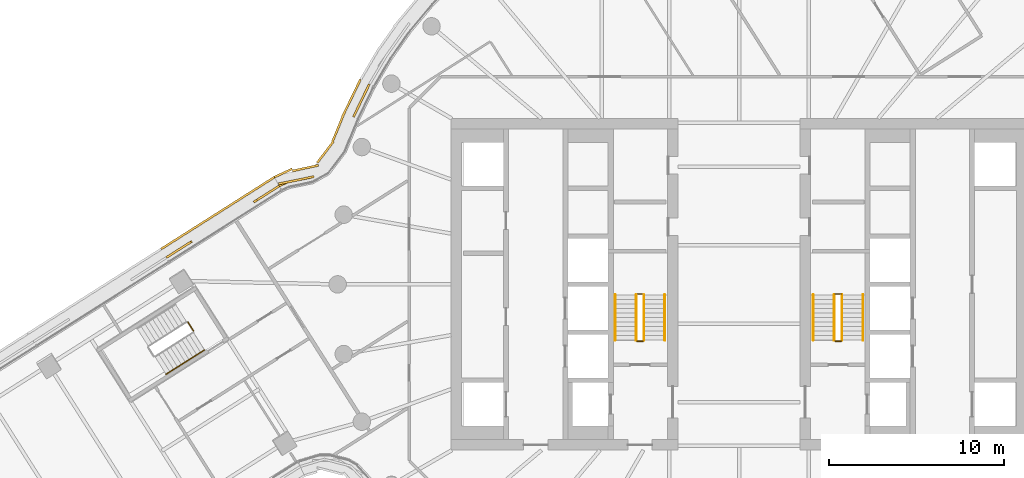
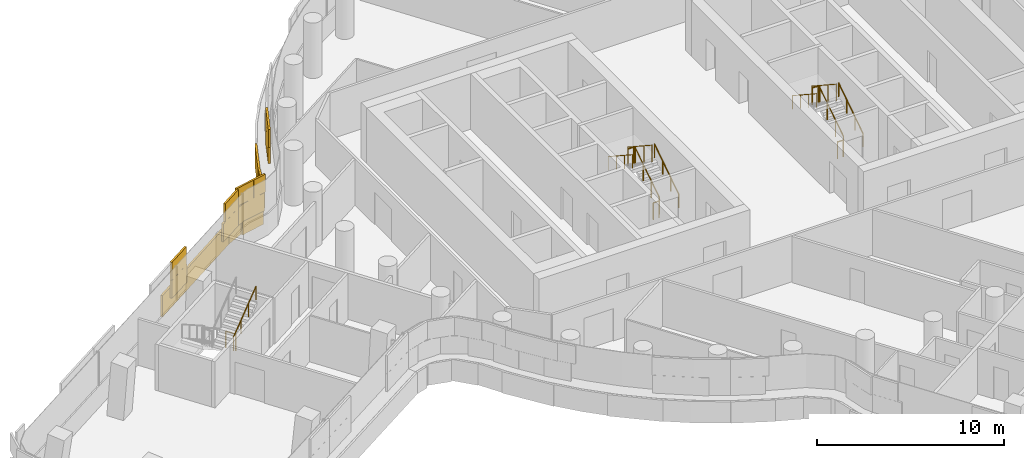
# One storey, part 32 of 36: 14 railings, 2 coverings.
"""IFC4 building model written with IfcOpenShell, lengths in metres."""

import ifcopenshell
import ifcopenshell.guid

model = None  # the IFC model being written
_history = None  # IfcOwnerHistory: only IFC2X3 demands one
_inside = {}  # id of a spatial element -> (the spatial element, [elements in it])
_under = {}  # id of a project, library or spatial element -> (it, [spatial elements below it])
_declared = {}  # id of a project -> (the project, [libraries it declares])
_typed = {}  # id of a type object -> (the type object, [elements of that type])
_made_of = {}  # id of a material, layer set ... -> (it, [elements and type objects made of it])


def new_model(schema):
    """Start an empty IFC model of exactly this schema.

    Asked for "IFC4X3", IfcOpenShell would pick the latest addendum, in which some entities
    have other attributes; the version numbers below select the first issue.
    IFC2X3 requires an IfcOwnerHistory on every rooted entity: one is made here for all.
    """
    global model, _history
    if schema == "IFC4X3":
        model = ifcopenshell.file(schema_version=(4, 3, 0, 0))
    else:
        model = ifcopenshell.file(schema=schema)
    _inside.clear()
    _under.clear()
    _declared.clear()
    _typed.clear()
    _made_of.clear()
    _history = None
    if model.schema == "IFC2X3":
        org = make("IfcOrganization", Name="unknown")
        user = make(
            "IfcPersonAndOrganization",
            ThePerson=make("IfcPerson", FamilyName="unknown"),
            TheOrganization=org,
        )
        app = make(
            "IfcApplication",
            ApplicationDeveloper=org,
            Version="unknown",
            ApplicationFullName="unknown",
            ApplicationIdentifier="unknown",
        )
        _history = make(
            "IfcOwnerHistory",
            OwningUser=user,
            OwningApplication=app,
            ChangeAction="ADDED",
            CreationDate=0,
        )
    return model


def make(cls, **values):
    """One entity of the class cls with the attributes given. An attribute that is None is left unset."""
    return model.create_entity(
        cls, **{name: value for name, value in values.items() if value is not None}
    )


def rooted(cls, **values):
    """An entity with a GlobalId (a new one), such as an element, a storey or a relation."""
    return make(cls, GlobalId=ifcopenshell.guid.new(), OwnerHistory=_history, **values)


def si_unit(unit_type, name, prefix=None):
    """IfcSIUnit, for example si_unit("LENGTHUNIT", "METRE", prefix="MILLI")."""
    return make("IfcSIUnit", UnitType=unit_type, Prefix=prefix, Name=name)


def assignment(units):
    """IfcUnitAssignment: the units of a project."""
    return None if units is None else make("IfcUnitAssignment", Units=units)


def point(xyz):
    """IfcCartesianPoint."""
    return None if xyz is None else make("IfcCartesianPoint", Coordinates=xyz)


def direction(xyz):
    """IfcDirection."""
    return None if xyz is None else make("IfcDirection", DirectionRatios=xyz)


def frame(location, z_axis=None, x_axis=None):
    """IfcAxis2Placement3D, a coordinate frame: its origin and axes. An axis left out is left unset."""
    return make(
        "IfcAxis2Placement3D",
        Location=point(location),
        Axis=direction(z_axis),
        RefDirection=direction(x_axis),
    )


def frame_2d(location, x_axis=None):
    """IfcAxis2Placement2D, a coordinate frame in the plane: its origin and x axis."""
    return make(
        "IfcAxis2Placement2D", Location=point(location), RefDirection=direction(x_axis)
    )


def origin():
    """The frame at (0, 0, 0) with its axes left unset."""
    return frame((0.0, 0.0, 0.0))


def origin_2d():
    """The frame at (0, 0) in the plane with its x axis left unset."""
    return frame_2d((0.0, 0.0))


def place(relative_to, where):
    """IfcLocalPlacement: puts the frame where relative to a parent placement (None: the world)."""
    return make(
        "IfcLocalPlacement", PlacementRelTo=relative_to, RelativePlacement=where
    )


def context(
    kind, dimensions, precision=None, world=None, true_north=None, identifier=None
):
    """IfcGeometricRepresentationContext, for example the 3D "Model" context."""
    return make(
        "IfcGeometricRepresentationContext",
        ContextIdentifier=identifier,
        ContextType=kind,
        CoordinateSpaceDimension=dimensions,
        Precision=precision,
        WorldCoordinateSystem=world,
        TrueNorth=true_north,
    )


def subcontext(parent, identifier, kind, view, scale=None):
    """IfcGeometricRepresentationSubContext, for example "Body" below "Model"."""
    return make(
        "IfcGeometricRepresentationSubContext",
        ContextIdentifier=identifier,
        ContextType=kind,
        ParentContext=parent,
        TargetScale=scale,
        TargetView=view,
    )


def project(units=None, contexts=None):
    """IfcProject with its units and contexts."""
    return rooted(
        "IfcProject",
        Name="project",
        RepresentationContexts=contexts,
        UnitsInContext=assignment(units),
    )


def spatial(cls, under=None, at=None, **own):
    """A site, building, storey or space (cls), placed at a placement, below another one or the project."""
    s = rooted(cls, ObjectPlacement=at, **own)
    if under is not None:
        _under.setdefault(under.id(), (under, []))[1].append(s)
    return s


def profile(cls, at=None, kind="AREA", **sizes):
    """A parametric profile (cls). Its sizes go by their IFC names, for example OverallWidth=200.0."""
    return make(cls, ProfileType=kind, Position=at, **sizes)


def rectangle(**sizes):
    """IfcRectangleProfileDef."""
    return profile("IfcRectangleProfileDef", **sizes)


def circle(**sizes):
    """IfcCircleProfileDef."""
    return profile("IfcCircleProfileDef", **sizes)


def extrude(swept, where, along, depth):
    """IfcExtrudedAreaSolid: the profile swept, set in the frame where, extruded along a direction by depth."""
    return make(
        "IfcExtrudedAreaSolid",
        SweptArea=swept,
        Position=where,
        ExtrudedDirection=direction(along),
        Depth=depth,
    )


def shape(context_of_items, identifier, shape_type, items):
    """IfcShapeRepresentation: the items that make up one representation, for example the "Body"."""
    return make(
        "IfcShapeRepresentation",
        ContextOfItems=context_of_items,
        RepresentationIdentifier=identifier,
        RepresentationType=shape_type,
        Items=items,
    )


def material(Name=None, Category=None):
    """IfcMaterial."""
    return make("IfcMaterial", Name=Name, Category=Category)


def layer(
    of_material, thickness, ventilated=None, Name=None, Category=None, Priority=None
):
    """IfcMaterialLayer: one layer of a wall or slab, of a material (None: an air gap)."""
    return make(
        "IfcMaterialLayer",
        Material=of_material,
        LayerThickness=thickness,
        IsVentilated=ventilated,
        Name=Name,
        Category=Category,
        Priority=Priority,
    )


def layer_set(layers, Name=None):
    """IfcMaterialLayerSet."""
    return make("IfcMaterialLayerSet", MaterialLayers=layers, LayerSetName=Name)


def made_of(thing, what):
    """Note that an element or type object is made of a material, layer set ...; save() writes the relation."""
    if what is not None:
        _made_of.setdefault(what.id(), (what, []))[1].append(thing)
    return thing


def type_object(cls, material=None, **own):
    """A type object (cls), such as IfcWallType, which elements share."""
    return made_of(rooted(cls, **own), material)


def element(
    cls,
    number,
    at=None,
    inside=None,
    cuts=None,
    type_object=None,
    material=None,
    context=None,
    identifier="Body",
    shape_type=None,
    held_by="IfcProductDefinitionShape",
    body=None,
    shapes=None,
    **own,
):
    """One element of the class cls, such as IfcWall. Its Tag is "e" and its number.

    at: its placement. inside: the storey or other place that contains it. cuts: it is an
    opening in that element (IfcRelVoidsElement). A single representation is given by context,
    identifier, shape_type and body (its items); several are given by shapes. held_by: the class
    of the entity that holds the representations. save() writes the other relations.
    """
    e = rooted(cls, Tag="e%d" % number, ObjectPlacement=at, **own)
    if body is not None:
        shapes = [shape(context, identifier, shape_type, body)]
    if shapes is not None:
        e.Representation = make(held_by, Representations=shapes)
    if inside is not None:
        _inside.setdefault(inside.id(), (inside, []))[1].append(e)
    if cuts is not None:
        rooted(
            "IfcRelVoidsElement", RelatingBuildingElement=cuts, RelatedOpeningElement=e
        )
    if type_object is not None:
        _typed.setdefault(type_object.id(), (type_object, []))[1].append(e)
    return made_of(e, material)


def aggregate(whole, parts):
    """IfcRelAggregates: a whole, such as a stair, and the parts it consists of."""
    return rooted("IfcRelAggregates", RelatingObject=whole, RelatedObjects=parts)


def save(model, path):
    """Write the relations noted so far, then the file.

    IfcRelAggregates (storeys below a building ...), IfcRelContainedInSpatialStructure (elements
    in a storey), IfcRelDefinesByType, IfcRelAssociatesMaterial and IfcRelDeclares: one each for
    every whole, place, type object, material and project.
    """
    for whole, parts in _under.values():
        aggregate(whole, parts)
    for where, things in _inside.values():
        rooted(
            "IfcRelContainedInSpatialStructure",
            RelatedElements=things,
            RelatingStructure=where,
        )
    for kind, things in _typed.values():
        rooted("IfcRelDefinesByType", RelatedObjects=things, RelatingType=kind)
    for what, things in _made_of.values():
        rooted("IfcRelAssociatesMaterial", RelatedObjects=things, RelatingMaterial=what)
    for by, libraries in _declared.values():
        rooted("IfcRelDeclares", RelatingContext=by, RelatedDefinitions=libraries)
    model.write(path)


model = new_model("IFC4")

# Units and contexts
model_context = context("Model", 3, precision=1e-05, world=origin(), true_north=direction((0.0, 1.0)))
body_context = subcontext(model_context, "Body", "Model", "MODEL_VIEW")
ifc_project = project(units=[si_unit("LENGTHUNIT", "METRE"), si_unit("AREAUNIT", "SQUARE_METRE"), si_unit("VOLUMEUNIT", "CUBIC_METRE"), si_unit("PLANEANGLEUNIT", "RADIAN"), si_unit("MASSUNIT", "GRAM", prefix="KILO")], contexts=[model_context])

# Site, building, storey
site_placement = place(None, origin())
site = spatial("IfcSite", under=ifc_project, at=site_placement, CompositionType="ELEMENT")
building_placement = place(site_placement, origin())
building = spatial("IfcBuilding", under=site, at=building_placement, Name="Tamarind Cross Interchange Tower", CompositionType="ELEMENT")
storey_placement = place(building_placement, frame((0.0, 0.0, 151.75)))
storey = spatial("IfcBuildingStorey", under=building, at=storey_placement, Name="L37", CompositionType="ELEMENT", Elevation=151.75)

# Railings
ifc_material_1 = material(Name="Stair guard")
railing_type_1 = type_object("IfcRailingType", Name="Stair guard", PredefinedType="GUARDRAIL", material=ifc_material_1)
railing_1_placement = place(storey_placement, frame((-5.449951171875, -3.199951171875, 0.17041015625)))
element("IfcRailing", 1, at=railing_1_placement, inside=storey, type_object=railing_type_1, Name="L37 ST1 stair guard 1", PredefinedType="GUARDRAIL", context=body_context, shape_type="SweptSolid", body=[
    extrude(circle(Radius=0.02392578125, at=origin_2d()), frame((0.0, 0.0, 1.076171875), z_axis=(0.0, 0.836278606002, 0.548304744775), x_axis=(-1.0, 0.0, 0.0)), (0.0, 0.0, 1.0), 3.10888671875),
    extrude(circle(Radius=0.02099609375, at=origin_2d()), origin(), (0.0, 0.0, 1.0), 1.052001953125),
    extrude(circle(Radius=0.02099609375, at=origin_2d()), frame((0.0, 0.86669921875, 0.568115234375)), (0.0, 0.0, 1.0), 1.052001953125),
    extrude(circle(Radius=0.02099609375, at=origin_2d()), frame((0.0, 1.733154296875, 1.136474609375)), (0.0, 0.0, 1.0), 1.052001953125),
    extrude(circle(Radius=0.02099609375, at=origin_2d()), frame((0.0, 2.599853515625, 1.70458984375)), (0.0, 0.0, 1.0), 1.052001953125),
])
railing_2_placement = place(storey_placement, frame((-5.5, -0.550048828125, 1.875)))
element("IfcRailing", 2, at=railing_2_placement, inside=storey, type_object=railing_type_1, Name="L37 ST1 stair guard 2", PredefinedType="GUARDRAIL", context=body_context, shape_type="SweptSolid", body=[
    extrude(circle(Radius=0.02392578125, at=origin_2d()), frame((0.0, 0.0, 1.076171875), z_axis=(-1.0, 0.0, 0.0), x_axis=(0.0, -1.0, 0.0)), (0.0, 0.0, 1.0), 0.35009765625),
    extrude(circle(Radius=0.02099609375, at=origin_2d()), origin(), (0.0, 0.0, 1.0), 1.052001953125),
    extrude(circle(Radius=0.02099609375, at=origin_2d()), frame((-0.35009765625, 0.0, 0.0)), (0.0, 0.0, 1.0), 1.052001953125),
])
railing_3_placement = place(storey_placement, frame((-5.89990234375, -0.60009765625, 2.04541015625)))
element("IfcRailing", 3, at=railing_3_placement, inside=storey, type_object=railing_type_1, Name="L37 ST1 stair guard 3", PredefinedType="GUARDRAIL", context=body_context, shape_type="SweptSolid", body=[
    extrude(circle(Radius=0.02392578125, at=origin_2d()), frame((0.0, 0.0, 1.076171875), z_axis=(0.0, -0.836278606002, 0.548304744775), x_axis=(1.0, 0.0, 0.0)), (0.0, 0.0, 1.0), 3.10888671875),
    extrude(circle(Radius=0.02099609375, at=origin_2d()), origin(), (0.0, 0.0, 1.0), 1.052001953125),
    extrude(circle(Radius=0.02099609375, at=origin_2d()), frame((0.0, -0.86669921875, 0.568115234375)), (0.0, 0.0, 1.0), 1.052001953125),
    extrude(circle(Radius=0.02099609375, at=origin_2d()), frame((0.0, -1.733154296875, 1.136474609375)), (0.0, 0.0, 1.0), 1.052001953125),
    extrude(circle(Radius=0.02099609375, at=origin_2d()), frame((0.0, -2.599853515625, 1.70458984375)), (0.0, 0.0, 1.0), 1.052001953125),
])
railing_4_placement = place(storey_placement, frame((-5.5, -3.25, 0.0)))
element("IfcRailing", 4, at=railing_4_placement, inside=storey, type_object=railing_type_1, Name="L37 ST1 stair guard 4", PredefinedType="GUARDRAIL", context=body_context, shape_type="SweptSolid", body=[
    extrude(circle(Radius=0.02392578125, at=origin_2d()), frame((0.0, 0.0, 1.076171875), z_axis=(-1.0, 0.0, 0.0), x_axis=(0.0, -1.0, 0.0)), (0.0, 0.0, 1.0), 0.35009765625),
    extrude(circle(Radius=0.02099609375, at=origin_2d()), origin(), (0.0, 0.0, 1.0), 1.052001953125),
    extrude(circle(Radius=0.02099609375, at=origin_2d()), frame((-0.35009765625, 0.0, 0.0)), (0.0, 0.0, 1.0), 1.052001953125),
])
railing_5_placement = place(storey_placement, frame((5.89990234375, -3.199951171875, 0.17041015625)))
element("IfcRailing", 5, at=railing_5_placement, inside=storey, type_object=railing_type_1, Name="L37 ST2 stair guard 1", PredefinedType="GUARDRAIL", context=body_context, shape_type="SweptSolid", body=[
    extrude(circle(Radius=0.02392578125, at=origin_2d()), frame((0.0, 0.0, 1.076171875), z_axis=(0.0, 0.836278606002, 0.548304744775), x_axis=(-1.0, 0.0, 0.0)), (0.0, 0.0, 1.0), 3.10888671875),
    extrude(circle(Radius=0.02099609375, at=origin_2d()), origin(), (0.0, 0.0, 1.0), 1.052001953125),
    extrude(circle(Radius=0.02099609375, at=origin_2d()), frame((0.0, 0.86669921875, 0.568115234375)), (0.0, 0.0, 1.0), 1.052001953125),
    extrude(circle(Radius=0.02099609375, at=origin_2d()), frame((0.0, 1.733154296875, 1.136474609375)), (0.0, 0.0, 1.0), 1.052001953125),
    extrude(circle(Radius=0.02099609375, at=origin_2d()), frame((0.0, 2.599853515625, 1.70458984375)), (0.0, 0.0, 1.0), 1.052001953125),
])
railing_6_placement = place(storey_placement, frame((5.85009765625, -0.550048828125, 1.875)))
element("IfcRailing", 6, at=railing_6_placement, inside=storey, type_object=railing_type_1, Name="L37 ST2 stair guard 2", PredefinedType="GUARDRAIL", context=body_context, shape_type="SweptSolid", body=[
    extrude(circle(Radius=0.02392578125, at=origin_2d()), frame((0.0, 0.0, 1.076171875), z_axis=(-1.0, 0.0, 0.0), x_axis=(0.0, -1.0, 0.0)), (0.0, 0.0, 1.0), 0.35009765625),
    extrude(circle(Radius=0.02099609375, at=origin_2d()), origin(), (0.0, 0.0, 1.0), 1.052001953125),
    extrude(circle(Radius=0.02099609375, at=origin_2d()), frame((-0.35009765625, 0.0, 0.0)), (0.0, 0.0, 1.0), 1.052001953125),
])
railing_7_placement = place(storey_placement, frame((5.449951171875, -0.60009765625, 2.04541015625)))
element("IfcRailing", 7, at=railing_7_placement, inside=storey, type_object=railing_type_1, Name="L37 ST2 stair guard 3", PredefinedType="GUARDRAIL", context=body_context, shape_type="SweptSolid", body=[
    extrude(circle(Radius=0.02392578125, at=origin_2d()), frame((0.0, 0.0, 1.076171875), z_axis=(0.0, -0.836278606002, 0.548304744775), x_axis=(1.0, 0.0, 0.0)), (0.0, 0.0, 1.0), 3.10888671875),
    extrude(circle(Radius=0.02099609375, at=origin_2d()), origin(), (0.0, 0.0, 1.0), 1.052001953125),
    extrude(circle(Radius=0.02099609375, at=origin_2d()), frame((0.0, -0.86669921875, 0.568115234375)), (0.0, 0.0, 1.0), 1.052001953125),
    extrude(circle(Radius=0.02099609375, at=origin_2d()), frame((0.0, -1.733154296875, 1.136474609375)), (0.0, 0.0, 1.0), 1.052001953125),
    extrude(circle(Radius=0.02099609375, at=origin_2d()), frame((0.0, -2.599853515625, 1.70458984375)), (0.0, 0.0, 1.0), 1.052001953125),
])
railing_8_placement = place(storey_placement, frame((5.85009765625, -3.25, 0.0)))
element("IfcRailing", 8, at=railing_8_placement, inside=storey, type_object=railing_type_1, Name="L37 ST2 stair guard 4", PredefinedType="GUARDRAIL", context=body_context, shape_type="SweptSolid", body=[
    extrude(circle(Radius=0.02392578125, at=origin_2d()), frame((0.0, 0.0, 1.076171875), z_axis=(-1.0, 0.0, 0.0), x_axis=(0.0, -1.0, 0.0)), (0.0, 0.0, 1.0), 0.35009765625),
    extrude(circle(Radius=0.02099609375, at=origin_2d()), origin(), (0.0, 0.0, 1.0), 1.052001953125),
    extrude(circle(Radius=0.02099609375, at=origin_2d()), frame((-0.35009765625, 0.0, 0.0)), (0.0, 0.0, 1.0), 1.052001953125),
])
railing_9_placement = place(storey_placement, frame((-31.57861328125, -2.168212890625, 0.0)))
element("IfcRailing", 9, at=railing_9_placement, inside=storey, type_object=railing_type_1, Name="L37 ST5 stair guard 4", PredefinedType="GUARDRAIL", context=body_context, shape_type="SweptSolid", body=[
    extrude(circle(Radius=0.02392578125, at=origin_2d()), frame((0.0, 0.0, 1.076171875), z_axis=(0.535584501074, -0.844481641132, 0.0), x_axis=(0.844481641132, 0.535584501074, 0.0)), (0.0, 0.0, 1.0), 0.599853515625),
    extrude(circle(Radius=0.02099609375, at=origin_2d()), origin(), (0.0, 0.0, 1.0), 1.052001953125),
    extrude(circle(Radius=0.02099609375, at=origin_2d()), frame((0.3212890625, -0.506591796875, 0.0)), (0.0, 0.0, 1.0), 1.052001953125),
])
ifc_material_2 = material(Name="Stair handrail")
railing_type_2 = type_object("IfcRailingType", Name="Stair handrail", PredefinedType="HANDRAIL", material=ifc_material_2)
railing_10_placement = place(storey_placement, frame((-4.25, -3.199951171875, 0.17041015625)))
element("IfcRailing", 10, at=railing_10_placement, inside=storey, type_object=railing_type_2, Name="L37 ST1 stair handrail 1", PredefinedType="HANDRAIL", context=body_context, shape_type="SweptSolid", body=[
    extrude(circle(Radius=0.02392578125, at=origin_2d()), frame((0.0, 0.0, 0.8759765625), z_axis=(0.0, 0.836278606002, 0.548304744775), x_axis=(-1.0, 0.0, 0.0)), (0.0, 0.0, 1.0), 3.10888671875),
    extrude(circle(Radius=0.02099609375, at=origin_2d()), origin(), (0.0, 0.0, 1.0), 0.851806640625),
    extrude(circle(Radius=0.02099609375, at=origin_2d()), frame((0.0, 0.86669921875, 0.568115234375)), (0.0, 0.0, 1.0), 0.851806640625),
    extrude(circle(Radius=0.02099609375, at=origin_2d()), frame((0.0, 1.733154296875, 1.136474609375)), (0.0, 0.0, 1.0), 0.851806640625),
    extrude(circle(Radius=0.02099609375, at=origin_2d()), frame((0.0, 2.599853515625, 1.70458984375)), (0.0, 0.0, 1.0), 0.851806640625),
])
railing_11_placement = place(storey_placement, frame((-7.10009765625, -0.60009765625, 2.04541015625)))
element("IfcRailing", 11, at=railing_11_placement, inside=storey, type_object=railing_type_2, Name="L37 ST1 stair handrail 2", PredefinedType="HANDRAIL", context=body_context, shape_type="SweptSolid", body=[
    extrude(circle(Radius=0.02392578125, at=origin_2d()), frame((0.0, 0.0, 0.8759765625), z_axis=(0.0, -0.836278606002, 0.548304744775), x_axis=(1.0, 0.0, 0.0)), (0.0, 0.0, 1.0), 3.10888671875),
    extrude(circle(Radius=0.02099609375, at=origin_2d()), origin(), (0.0, 0.0, 1.0), 0.851806640625),
    extrude(circle(Radius=0.02099609375, at=origin_2d()), frame((0.0, -0.86669921875, 0.568115234375)), (0.0, 0.0, 1.0), 0.851806640625),
    extrude(circle(Radius=0.02099609375, at=origin_2d()), frame((0.0, -1.733154296875, 1.136474609375)), (0.0, 0.0, 1.0), 0.851806640625),
    extrude(circle(Radius=0.02099609375, at=origin_2d()), frame((0.0, -2.599853515625, 1.70458984375)), (0.0, 0.0, 1.0), 0.851806640625),
])
railing_12_placement = place(storey_placement, frame((7.10009765625, -3.199951171875, 0.17041015625)))
element("IfcRailing", 12, at=railing_12_placement, inside=storey, type_object=railing_type_2, Name="L37 ST2 stair handrail 1", PredefinedType="HANDRAIL", context=body_context, shape_type="SweptSolid", body=[
    extrude(circle(Radius=0.02392578125, at=origin_2d()), frame((0.0, 0.0, 0.8759765625), z_axis=(0.0, 0.836278606002, 0.548304744775), x_axis=(-1.0, 0.0, 0.0)), (0.0, 0.0, 1.0), 3.10888671875),
    extrude(circle(Radius=0.02099609375, at=origin_2d()), origin(), (0.0, 0.0, 1.0), 0.851806640625),
    extrude(circle(Radius=0.02099609375, at=origin_2d()), frame((0.0, 0.86669921875, 0.568115234375)), (0.0, 0.0, 1.0), 0.851806640625),
    extrude(circle(Radius=0.02099609375, at=origin_2d()), frame((0.0, 1.733154296875, 1.136474609375)), (0.0, 0.0, 1.0), 0.851806640625),
    extrude(circle(Radius=0.02099609375, at=origin_2d()), frame((0.0, 2.599853515625, 1.70458984375)), (0.0, 0.0, 1.0), 0.851806640625),
])
railing_13_placement = place(storey_placement, frame((4.25, -0.60009765625, 2.04541015625)))
element("IfcRailing", 13, at=railing_13_placement, inside=storey, type_object=railing_type_2, Name="L37 ST2 stair handrail 2", PredefinedType="HANDRAIL", context=body_context, shape_type="SweptSolid", body=[
    extrude(circle(Radius=0.02392578125, at=origin_2d()), frame((0.0, 0.0, 0.8759765625), z_axis=(0.0, -0.836278606002, 0.548304744775), x_axis=(1.0, 0.0, 0.0)), (0.0, 0.0, 1.0), 3.10888671875),
    extrude(circle(Radius=0.02099609375, at=origin_2d()), origin(), (0.0, 0.0, 1.0), 0.851806640625),
    extrude(circle(Radius=0.02099609375, at=origin_2d()), frame((0.0, -0.86669921875, 0.568115234375)), (0.0, 0.0, 1.0), 0.851806640625),
    extrude(circle(Radius=0.02099609375, at=origin_2d()), frame((0.0, -1.733154296875, 1.136474609375)), (0.0, 0.0, 1.0), 0.851806640625),
    extrude(circle(Radius=0.02099609375, at=origin_2d()), frame((0.0, -2.599853515625, 1.70458984375)), (0.0, 0.0, 1.0), 0.851806640625),
])
railing_14_placement = place(storey_placement, frame((-32.825439453125, -5.14990234375, 2.04541015625)))
element("IfcRailing", 14, at=railing_14_placement, inside=storey, type_object=railing_type_2, Name="L37 ST5 stair handrail 2", PredefinedType="HANDRAIL", context=body_context, shape_type="SweptSolid", body=[
    extrude(circle(Radius=0.02392578125, at=origin_2d()), frame((0.0, 0.0, 0.8759765625), z_axis=(0.706212529549, 0.44793019777, 0.548290434928), x_axis=(-0.535617160796, 0.8444609269, 0.0)), (0.0, 0.0, 1.0), 3.10888671875),
    extrude(circle(Radius=0.02099609375, at=origin_2d()), origin(), (0.0, 0.0, 1.0), 0.851806640625),
    extrude(circle(Radius=0.02099609375, at=origin_2d()), frame((0.73193359375, 0.464111328125, 0.568115234375)), (0.0, 0.0, 1.0), 0.851806640625),
    extrude(circle(Radius=0.02099609375, at=origin_2d()), frame((1.463623046875, 0.928466796875, 1.136474609375)), (0.0, 0.0, 1.0), 0.851806640625),
    extrude(circle(Radius=0.02099609375, at=origin_2d()), frame((2.195556640625, 1.392578125, 1.70458984375)), (0.0, 0.0, 1.0), 0.851806640625),
])

# Coverings
ifc_material_3 = material(Name="Terracotta", Category="masonry")
ifc_layer = layer(ifc_material_3, 0.1201171875)
ifc_layer_set = layer_set([ifc_layer], Name="Terracotta")
covering_type = type_object("IfcCoveringType", Name="Terracotta baguette screen unit", PredefinedType="MOLDING", material=ifc_layer_set)
covering_1_placement = place(storey_placement, origin())
element("IfcCovering", 15, at=covering_1_placement, inside=storey, type_object=covering_type, Name="SCR-L37-02-01", PredefinedType="MOLDING", context=body_context, shape_type="SweptSolid", body=[
    extrude(rectangle(XDim=0.36181640625, YDim=0.1201171875, at=origin_2d()), frame((-21.26611328125, 11.30224609375, 1.404052734375), z_axis=(0.0, 0.0, 1.0), x_axis=(-0.435326231914, -0.900272776334, 0.0)), (0.0, 0.0, 1.0), 1.1669921875),
    extrude(rectangle(XDim=1.52001953125, YDim=0.1201171875, at=origin_2d()), frame((-21.669189453125, 10.46875, 1.404052734375), z_axis=(0.0, 0.0, 1.0), x_axis=(-0.435326231914, -0.900272776334, 0.0)), (0.0, 0.0, 1.0), 1.1669921875),
    extrude(rectangle(XDim=1.52001953125, YDim=0.1201171875, at=origin_2d()), frame((-25.177978515625, 6.00146484375, 1.404052734375), z_axis=(0.0, 0.0, 1.0), x_axis=(-0.980378658398, -0.197123530196, 0.0)), (0.0, 0.0, 1.0), 1.1669921875),
    extrude(rectangle(XDim=0.494384765625, YDim=0.1201171875, at=origin_2d()), frame((-26.129150390625, 5.739501953125, 1.404052734375), z_axis=(0.0, 0.0, 1.0), x_axis=(-0.907126299727, -0.420858499194, 0.0)), (0.0, 0.0, 1.0), 1.1669921875),
    extrude(rectangle(XDim=1.11181640625, YDim=0.1201171875, at=origin_2d()), frame((-21.42919921875, 10.96484375, 2.5791015625), z_axis=(0.0, 0.0, 1.0), x_axis=(-0.435326231914, -0.900272776334, 0.0)), (0.0, 0.0, 1.0), 1.1669921875),
    extrude(rectangle(XDim=0.976318359375, YDim=0.1201171875, at=origin_2d()), frame((-21.87939453125, 10.033935546875, 2.5791015625), z_axis=(0.0, 0.0, 1.0), x_axis=(-0.435326231914, -0.900272776334, 0.0)), (0.0, 0.0, 1.0), 1.1669921875),
    extrude(rectangle(XDim=0.84375, YDim=0.1201171875, at=origin_2d()), frame((-24.7705078125, 6.088623046875, 2.5791015625), z_axis=(0.0, 0.0, 1.0), x_axis=(-0.977408408362, -0.211359417255, 0.0)), (0.0, 0.0, 1.0), 1.1669921875),
    extrude(rectangle(XDim=1.244384765625, YDim=0.1201171875, at=origin_2d()), frame((-25.783203125, 5.879638671875, 2.5791015625), z_axis=(0.0, 0.0, 1.0), x_axis=(-0.980378658398, -0.197123530196, 0.0)), (0.0, 0.0, 1.0), 1.1669921875),
    extrude(rectangle(XDim=0.896728515625, YDim=0.1201171875, at=origin_2d()), frame((-21.89013671875, 11.330322265625, 0.00390625), z_axis=(0.0, 0.0, 1.0), x_axis=(-0.435326231914, -0.900272776334, 0.0)), (0.0, 0.0, 1.0), 1.39208984375),
    extrude(rectangle(XDim=1.52001953125, YDim=0.1201171875, at=origin_2d()), frame((-22.407470703125, 10.260498046875, 0.00390625), z_axis=(0.0, 0.0, 1.0), x_axis=(-0.435326231914, -0.900272776334, 0.0)), (0.0, 0.0, 1.0), 1.39208984375),
    extrude(rectangle(XDim=1.52001953125, YDim=0.1201171875, at=origin_2d()), frame((-23.00439453125, 8.885009765625, 0.00390625), z_axis=(0.0, 0.0, 1.0), x_axis=(-0.37958687543, -0.9251560971, 0.0)), (0.0, 0.0, 1.0), 1.39208984375),
    extrude(rectangle(XDim=1.52001953125, YDim=0.1201171875, at=origin_2d()), frame((-23.70703125, 7.57373046875, 0.00390625), z_axis=(0.0, 0.0, 1.0), x_axis=(-0.605671750906, -0.795714603457, 0.0)), (0.0, 0.0, 1.0), 1.39208984375),
    extrude(rectangle(XDim=1.52001953125, YDim=0.1201171875, at=origin_2d()), frame((-24.844970703125, 6.659912109375, 0.00390625), z_axis=(0.0, 0.0, 1.0), x_axis=(-0.977408408362, -0.211359417255, 0.0)), (0.0, 0.0, 1.0), 1.39208984375),
    extrude(rectangle(XDim=1.12451171875, YDim=0.1201171875, at=origin_2d()), frame((-26.114501953125, 6.379150390625, 0.00390625), z_axis=(0.0, 0.0, 1.0), x_axis=(-0.907126299727, -0.420858499194, 0.0)), (0.0, 0.0, 1.0), 1.39208984375),
])
covering_2_placement = place(storey_placement, origin())
element("IfcCovering", 16, at=covering_2_placement, inside=storey, type_object=covering_type, Name="SCR-L37-03-00", PredefinedType="MOLDING", context=body_context, shape_type="SweptSolid", body=[
    extrude(rectangle(XDim=0.760009765625, YDim=0.1201171875, at=origin_2d()), frame((-26.665283203125, 5.436767578125, 1.404052734375), z_axis=(0.0, 0.0, 1.0), x_axis=(-0.844432651118, -0.535661738157, 0.0)), (0.0, 0.0, 1.0), 1.1669921875),
    extrude(rectangle(XDim=0.983642578125, YDim=0.1201171875, at=origin_2d()), frame((-27.39306640625, 4.97509765625, 1.404052734375), z_axis=(0.0, 0.0, 1.0), x_axis=(-0.844432651118, -0.535661738157, 0.0)), (0.0, 0.0, 1.0), 1.1669921875),
    extrude(rectangle(XDim=0.83642578125, YDim=0.1201171875, at=origin_2d()), frame((-31.69970703125, 2.2431640625, 1.404052734375), z_axis=(0.0, 0.0, 1.0), x_axis=(-0.844432651118, -0.535661738157, 0.0)), (0.0, 0.0, 1.0), 1.1669921875),
    extrude(rectangle(XDim=0.906982421875, YDim=0.1201171875, at=origin_2d()), frame((-32.427490234375, 1.781494140625, 1.404052734375), z_axis=(0.0, 0.0, 1.0), x_axis=(-0.844432651118, -0.535661738157, 0.0)), (0.0, 0.0, 1.0), 1.1669921875),
    extrude(rectangle(XDim=1.510009765625, YDim=0.1201171875, at=origin_2d()), frame((-26.98193359375, 5.23583984375, 2.5791015625), z_axis=(0.0, 0.0, 1.0), x_axis=(-0.844432651118, -0.535661738157, 0.0)), (0.0, 0.0, 1.0), 1.1669921875),
    extrude(rectangle(XDim=1.52001953125, YDim=0.1201171875, at=origin_2d()), frame((-32.048583984375, 2.02197265625, 2.5791015625), z_axis=(0.0, 0.0, 1.0), x_axis=(-0.844432651118, -0.535661738157, 0.0)), (0.0, 0.0, 1.0), 1.1669921875),
    extrude(rectangle(XDim=0.156982421875, YDim=0.1201171875, at=origin_2d()), frame((-32.744140625, 1.580810546875, 2.5791015625), z_axis=(0.0, 0.0, 1.0), x_axis=(-0.844432651118, -0.535661738157, 0.0)), (0.0, 0.0, 1.0), 1.1669921875),
    extrude(rectangle(XDim=0.760009765625, YDim=0.1201171875, at=origin_2d()), frame((-26.9453125, 5.93896484375, 0.00390625), z_axis=(0.0, 0.0, 1.0), x_axis=(-0.844432651118, -0.535661738157, 0.0)), (0.0, 0.0, 1.0), 1.39208984375),
    extrude(rectangle(XDim=1.52001953125, YDim=0.1201171875, at=origin_2d()), frame((-27.89111328125, 5.3388671875, 0.00390625), z_axis=(0.0, 0.0, 1.0), x_axis=(-0.844432651118, -0.535661738157, 0.0)), (0.0, 0.0, 1.0), 1.39208984375),
    extrude(rectangle(XDim=1.52001953125, YDim=0.1201171875, at=origin_2d()), frame((-29.15771484375, 4.535400390625, 0.00390625), z_axis=(0.0, 0.0, 1.0), x_axis=(-0.844432651118, -0.535661738157, 0.0)), (0.0, 0.0, 1.0), 1.39208984375),
    extrude(rectangle(XDim=1.52001953125, YDim=0.1201171875, at=origin_2d()), frame((-30.42431640625, 3.73193359375, 0.00390625), z_axis=(0.0, 0.0, 1.0), x_axis=(-0.844432651118, -0.535661738157, 0.0)), (0.0, 0.0, 1.0), 1.39208984375),
    extrude(rectangle(XDim=1.52001953125, YDim=0.1201171875, at=origin_2d()), frame((-31.69091796875, 2.928466796875, 0.00390625), z_axis=(0.0, 0.0, 1.0), x_axis=(-0.844432651118, -0.535661738157, 0.0)), (0.0, 0.0, 1.0), 1.39208984375),
    extrude(rectangle(XDim=0.941650390625, YDim=0.1201171875, at=origin_2d()), frame((-32.71337890625, 2.27978515625, 0.00390625), z_axis=(0.0, 0.0, 1.0), x_axis=(-0.844432651118, -0.535661738157, 0.0)), (0.0, 0.0, 1.0), 1.39208984375),
])

save(model, "model.ifc")
